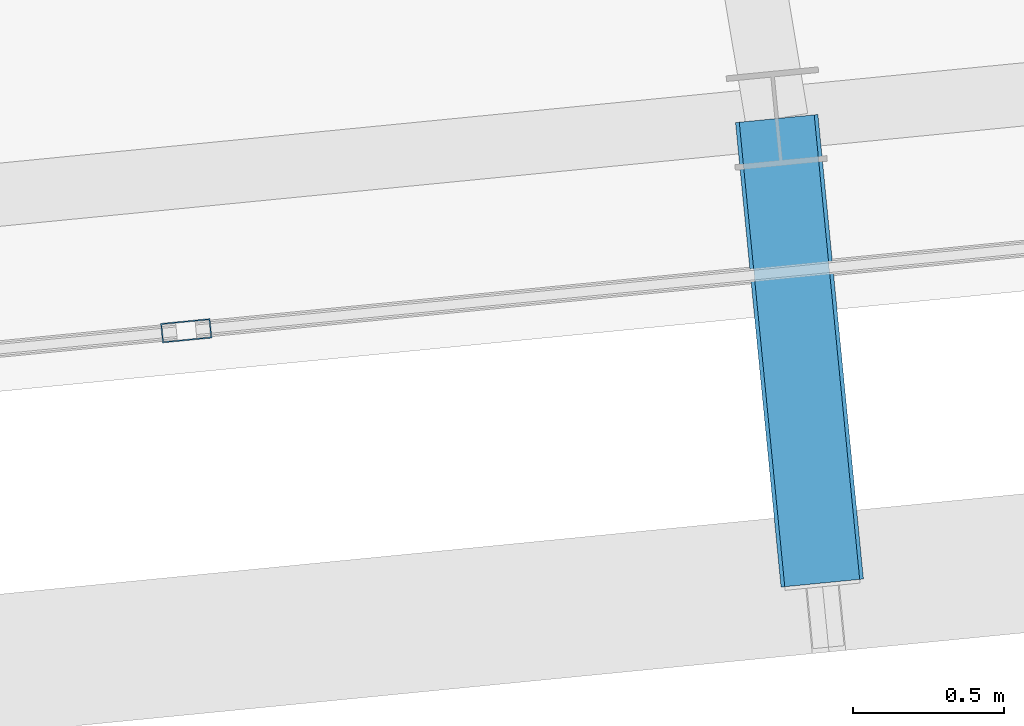
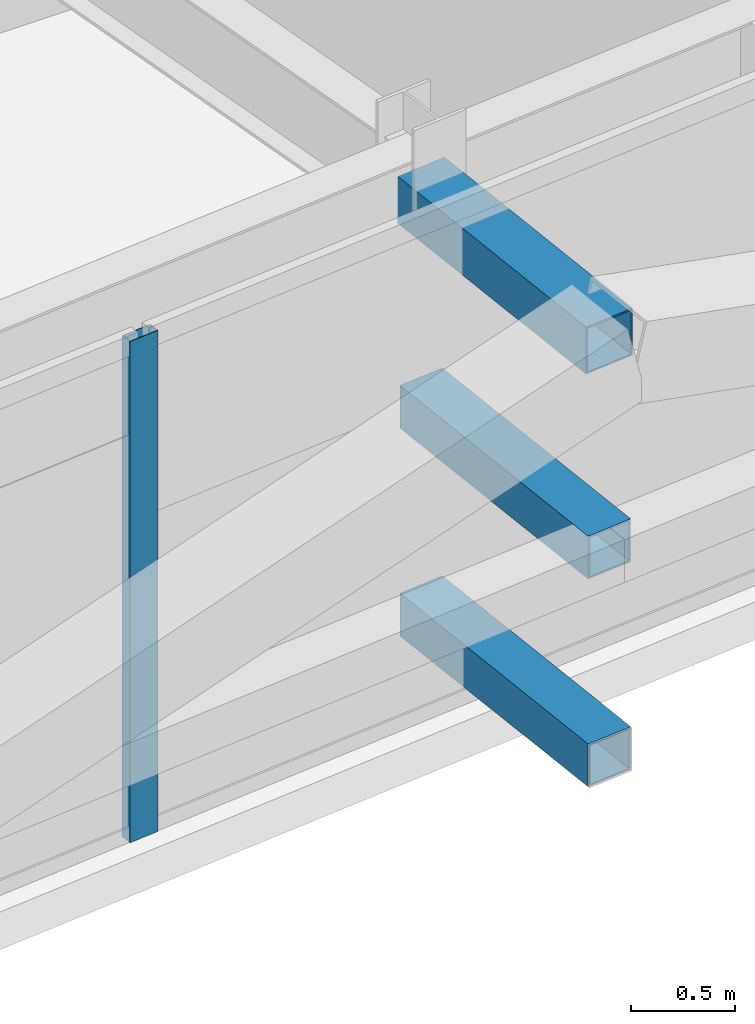
# One storey, part 15 of 47: 4 members, 1 element without a shape of its own.
"""IFC4 building model written with IfcOpenShell, lengths in metres."""

import ifcopenshell
import ifcopenshell.guid

model = None  # the IFC model being written
_history = None  # IfcOwnerHistory: only IFC2X3 demands one
_inside = {}  # id of a spatial element -> (the spatial element, [elements in it])
_under = {}  # id of a project, library or spatial element -> (it, [spatial elements below it])
_declared = {}  # id of a project -> (the project, [libraries it declares])
_typed = {}  # id of a type object -> (the type object, [elements of that type])
_made_of = {}  # id of a material, layer set ... -> (it, [elements and type objects made of it])


def new_model(schema):
    """Start an empty IFC model of exactly this schema.

    Asked for "IFC4X3", IfcOpenShell would pick the latest addendum, in which some entities
    have other attributes; the version numbers below select the first issue.
    IFC2X3 requires an IfcOwnerHistory on every rooted entity: one is made here for all.
    """
    global model, _history
    if schema == "IFC4X3":
        model = ifcopenshell.file(schema_version=(4, 3, 0, 0))
    else:
        model = ifcopenshell.file(schema=schema)
    _inside.clear()
    _under.clear()
    _declared.clear()
    _typed.clear()
    _made_of.clear()
    _history = None
    if model.schema == "IFC2X3":
        org = make("IfcOrganization", Name="unknown")
        user = make(
            "IfcPersonAndOrganization",
            ThePerson=make("IfcPerson", FamilyName="unknown"),
            TheOrganization=org,
        )
        app = make(
            "IfcApplication",
            ApplicationDeveloper=org,
            Version="unknown",
            ApplicationFullName="unknown",
            ApplicationIdentifier="unknown",
        )
        _history = make(
            "IfcOwnerHistory",
            OwningUser=user,
            OwningApplication=app,
            ChangeAction="ADDED",
            CreationDate=0,
        )
    return model


def make(cls, **values):
    """One entity of the class cls with the attributes given. An attribute that is None is left unset."""
    return model.create_entity(
        cls, **{name: value for name, value in values.items() if value is not None}
    )


def rooted(cls, **values):
    """An entity with a GlobalId (a new one), such as an element, a storey or a relation."""
    return make(cls, GlobalId=ifcopenshell.guid.new(), OwnerHistory=_history, **values)


def si_unit(unit_type, name, prefix=None):
    """IfcSIUnit, for example si_unit("LENGTHUNIT", "METRE", prefix="MILLI")."""
    return make("IfcSIUnit", UnitType=unit_type, Prefix=prefix, Name=name)


def assignment(units):
    """IfcUnitAssignment: the units of a project."""
    return None if units is None else make("IfcUnitAssignment", Units=units)


def point(xyz):
    """IfcCartesianPoint."""
    return None if xyz is None else make("IfcCartesianPoint", Coordinates=xyz)


def direction(xyz):
    """IfcDirection."""
    return None if xyz is None else make("IfcDirection", DirectionRatios=xyz)


def frame(location, z_axis=None, x_axis=None):
    """IfcAxis2Placement3D, a coordinate frame: its origin and axes. An axis left out is left unset."""
    return make(
        "IfcAxis2Placement3D",
        Location=point(location),
        Axis=direction(z_axis),
        RefDirection=direction(x_axis),
    )


def frame_2d(location, x_axis=None):
    """IfcAxis2Placement2D, a coordinate frame in the plane: its origin and x axis."""
    return make(
        "IfcAxis2Placement2D", Location=point(location), RefDirection=direction(x_axis)
    )


def origin():
    """The frame at (0, 0, 0) with its axes left unset."""
    return frame((0.0, 0.0, 0.0))


def origin_2d():
    """The frame at (0, 0) in the plane with its x axis left unset."""
    return frame_2d((0.0, 0.0))


def place(relative_to, where):
    """IfcLocalPlacement: puts the frame where relative to a parent placement (None: the world)."""
    return make(
        "IfcLocalPlacement", PlacementRelTo=relative_to, RelativePlacement=where
    )


def context(
    kind, dimensions, precision=None, world=None, true_north=None, identifier=None
):
    """IfcGeometricRepresentationContext, for example the 3D "Model" context."""
    return make(
        "IfcGeometricRepresentationContext",
        ContextIdentifier=identifier,
        ContextType=kind,
        CoordinateSpaceDimension=dimensions,
        Precision=precision,
        WorldCoordinateSystem=world,
        TrueNorth=true_north,
    )


def subcontext(parent, identifier, kind, view, scale=None):
    """IfcGeometricRepresentationSubContext, for example "Body" below "Model"."""
    return make(
        "IfcGeometricRepresentationSubContext",
        ContextIdentifier=identifier,
        ContextType=kind,
        ParentContext=parent,
        TargetScale=scale,
        TargetView=view,
    )


def project(units=None, contexts=None):
    """IfcProject with its units and contexts."""
    return rooted(
        "IfcProject",
        Name="project",
        RepresentationContexts=contexts,
        UnitsInContext=assignment(units),
    )


def spatial(cls, under=None, at=None, **own):
    """A site, building, storey or space (cls), placed at a placement, below another one or the project."""
    s = rooted(cls, ObjectPlacement=at, **own)
    if under is not None:
        _under.setdefault(under.id(), (under, []))[1].append(s)
    return s


def profile(cls, at=None, kind="AREA", **sizes):
    """A parametric profile (cls). Its sizes go by their IFC names, for example OverallWidth=200.0."""
    return make(cls, ProfileType=kind, Position=at, **sizes)


def hollow_rectangle(**sizes):
    """IfcRectangleHollowProfileDef."""
    return profile("IfcRectangleHollowProfileDef", **sizes)


def extrude(swept, where, along, depth):
    """IfcExtrudedAreaSolid: the profile swept, set in the frame where, extruded along a direction by depth."""
    return make(
        "IfcExtrudedAreaSolid",
        SweptArea=swept,
        Position=where,
        ExtrudedDirection=direction(along),
        Depth=depth,
    )


def shape(context_of_items, identifier, shape_type, items):
    """IfcShapeRepresentation: the items that make up one representation, for example the "Body"."""
    return make(
        "IfcShapeRepresentation",
        ContextOfItems=context_of_items,
        RepresentationIdentifier=identifier,
        RepresentationType=shape_type,
        Items=items,
    )


def source(mapping_origin, context_of_items, identifier, shape_type, items):
    """IfcRepresentationMap: a shape defined once, which mapped items show again and again."""
    return make(
        "IfcRepresentationMap",
        MappingOrigin=mapping_origin,
        MappedRepresentation=shape(context_of_items, identifier, shape_type, items),
    )


def transform(
    local_origin,
    x_axis=None,
    y_axis=None,
    z_axis=None,
    scale=None,
    scale2=None,
    scale3=None,
    uniform=True,
):
    """IfcCartesianTransformationOperator3D, or its non-uniform kind. x_axis, y_axis, z_axis: its Axis1, 2, 3."""
    if uniform:
        return make(
            "IfcCartesianTransformationOperator3D",
            Axis1=direction(x_axis),
            Axis2=direction(y_axis),
            LocalOrigin=point(local_origin),
            Scale=scale,
            Axis3=direction(z_axis),
        )
    return make(
        "IfcCartesianTransformationOperator3DnonUniform",
        Axis1=direction(x_axis),
        Axis2=direction(y_axis),
        LocalOrigin=point(local_origin),
        Scale=scale,
        Axis3=direction(z_axis),
        Scale2=scale2,
        Scale3=scale3,
    )


def mapped(mapping_source, mapping_target):
    """IfcMappedItem: shows the shape of a source again, moved by a transform."""
    return make(
        "IfcMappedItem", MappingSource=mapping_source, MappingTarget=mapping_target
    )


def material(Name=None, Category=None):
    """IfcMaterial."""
    return make("IfcMaterial", Name=Name, Category=Category)


def layer(
    of_material, thickness, ventilated=None, Name=None, Category=None, Priority=None
):
    """IfcMaterialLayer: one layer of a wall or slab, of a material (None: an air gap)."""
    return make(
        "IfcMaterialLayer",
        Material=of_material,
        LayerThickness=thickness,
        IsVentilated=ventilated,
        Name=Name,
        Category=Category,
        Priority=Priority,
    )


def layer_set(layers, Name=None):
    """IfcMaterialLayerSet."""
    return make("IfcMaterialLayerSet", MaterialLayers=layers, LayerSetName=Name)


def material_profile(
    of_material, cross_section, Name=None, Category=None, Priority=None
):
    """IfcMaterialProfile: a cross section and its material."""
    return make(
        "IfcMaterialProfile",
        Name=Name,
        Material=of_material,
        Profile=cross_section,
        Priority=Priority,
        Category=Category,
    )


def profile_set(profiles, Name=None, composite=None):
    """IfcMaterialProfileSet."""
    return make(
        "IfcMaterialProfileSet",
        Name=Name,
        MaterialProfiles=profiles,
        CompositeProfile=composite,
    )


def made_of(thing, what):
    """Note that an element or type object is made of a material, layer set ...; save() writes the relation."""
    if what is not None:
        _made_of.setdefault(what.id(), (what, []))[1].append(thing)
    return thing


def type_object(cls, material=None, **own):
    """A type object (cls), such as IfcWallType, which elements share."""
    return made_of(rooted(cls, **own), material)


def element(
    cls,
    number,
    at=None,
    inside=None,
    cuts=None,
    type_object=None,
    material=None,
    context=None,
    identifier="Body",
    shape_type=None,
    held_by="IfcProductDefinitionShape",
    body=None,
    shapes=None,
    **own,
):
    """One element of the class cls, such as IfcWall. Its Tag is "e" and its number.

    at: its placement. inside: the storey or other place that contains it. cuts: it is an
    opening in that element (IfcRelVoidsElement). A single representation is given by context,
    identifier, shape_type and body (its items); several are given by shapes. held_by: the class
    of the entity that holds the representations. save() writes the other relations.
    """
    e = rooted(cls, Tag="e%d" % number, ObjectPlacement=at, **own)
    if body is not None:
        shapes = [shape(context, identifier, shape_type, body)]
    if shapes is not None:
        e.Representation = make(held_by, Representations=shapes)
    if inside is not None:
        _inside.setdefault(inside.id(), (inside, []))[1].append(e)
    if cuts is not None:
        rooted(
            "IfcRelVoidsElement", RelatingBuildingElement=cuts, RelatedOpeningElement=e
        )
    if type_object is not None:
        _typed.setdefault(type_object.id(), (type_object, []))[1].append(e)
    return made_of(e, material)


def aggregate(whole, parts):
    """IfcRelAggregates: a whole, such as a stair, and the parts it consists of."""
    return rooted("IfcRelAggregates", RelatingObject=whole, RelatedObjects=parts)


def save(model, path):
    """Write the relations noted so far, then the file.

    IfcRelAggregates (storeys below a building ...), IfcRelContainedInSpatialStructure (elements
    in a storey), IfcRelDefinesByType, IfcRelAssociatesMaterial and IfcRelDeclares: one each for
    every whole, place, type object, material and project.
    """
    for whole, parts in _under.values():
        aggregate(whole, parts)
    for where, things in _inside.values():
        rooted(
            "IfcRelContainedInSpatialStructure",
            RelatedElements=things,
            RelatingStructure=where,
        )
    for kind, things in _typed.values():
        rooted("IfcRelDefinesByType", RelatedObjects=things, RelatingType=kind)
    for what, things in _made_of.values():
        rooted("IfcRelAssociatesMaterial", RelatedObjects=things, RelatingMaterial=what)
    for by, libraries in _declared.values():
        rooted("IfcRelDeclares", RelatingContext=by, RelatedDefinitions=libraries)
    model.write(path)


model = new_model("IFC4")

# Units and contexts
model_context = context("Model", 3, precision=1e-05, world=origin(), true_north=direction((0.0, 1.0)))
body_context = subcontext(model_context, "Body", "Model", "MODEL_VIEW")
ifc_project = project(units=[si_unit("LENGTHUNIT", "METRE"), si_unit("AREAUNIT", "SQUARE_METRE"), si_unit("VOLUMEUNIT", "CUBIC_METRE"), si_unit("PLANEANGLEUNIT", "RADIAN"), si_unit("MASSUNIT", "GRAM", prefix="KILO")], contexts=[model_context])

# Site, building, storey
site_placement = place(None, origin())
site = spatial("IfcSite", under=ifc_project, at=site_placement, CompositionType="ELEMENT")
building_placement = place(site_placement, origin())
building = spatial("IfcBuilding", under=site, at=building_placement, Name="Taldren Reach Tower", CompositionType="ELEMENT")
storey_placement = place(building_placement, frame((0.0, 0.0, 90.300048828125)))
storey = spatial("IfcBuildingStorey", under=building, at=storey_placement, Name="L27", CompositionType="ELEMENT", Elevation=90.300048828125)

# Members
ifc_material_1 = material(Name="Steel Gr 450 (C450L0)", Category="steel")
ifc_material_profile_1 = material_profile(ifc_material_1, hollow_rectangle(XDim=0.27490234375, YDim=0.27490234375, WallThickness=0.00927734375, at=origin_2d()), Name="275x275x9.3SHS")
ifc_profile_set_1 = profile_set([ifc_material_profile_1], Name="Steel Gr 450 (C450L0)")
member_type_1 = type_object("IfcMemberType", Name="MB-TIE273", PredefinedType="STRUT", material=ifc_profile_set_1)
shared_shape_1 = source(origin(), body_context, "Body", "SweptSolid", [
    extrude(hollow_rectangle(XDim=0.27490234375, YDim=0.27490234375, WallThickness=0.00927734375, at=origin_2d()), origin(), (0.0, 0.0, 1.0), 1.5498046875),
])
member_1_placement = place(storey_placement, frame((53.469482421875, 3.698486328125, 2.64990234375), z_axis=(0.097507178627, -0.995234821595, 0.0), x_axis=(0.995234821595, 0.097507178627, 0.0)))
element("IfcMember", 1, at=member_1_placement, inside=storey, type_object=member_type_1, Name="Exoskeleton diaphragm tie strut B2-S5 L27", PredefinedType="STRUT", context=body_context, shape_type="MappedRepresentation", body=[
    mapped(shared_shape_1, transform((0.0, 0.0, 0.0), scale=1.0)),
])
ifc_material_2 = material(Name="Steel Gr 350 (C350L0)", Category="steel")
ifc_material_profile_2 = material_profile(ifc_material_2, hollow_rectangle(XDim=0.25, YDim=0.25, WallThickness=0.010009765625, at=origin_2d()), Name="250x250x10.0SHS")
ifc_profile_set_2 = profile_set([ifc_material_profile_2], Name="Steel Gr 350 (C350L0)")
member_type_2 = type_object("IfcMemberType", Name="MB-POST250", PredefinedType="POST", material=ifc_profile_set_2)
shared_shape_2 = source(origin(), body_context, "Body", "SweptSolid", [
    extrude(hollow_rectangle(XDim=0.25, YDim=0.25, WallThickness=0.010009765625, at=origin_2d()), origin(), (0.0, 0.0, 1.0), 1.5498046875),
])
for number, where, z_axis, x_axis, name in (
    (2, (53.469482421875, 3.698486328125, 0.219970703125), (0.097507178627, -0.995234821595, 0.0), (0.995234821595, 0.097507178627, 0.0), "Exoskeleton base diaphragm tie strut B2-S5 L27"),
    (3, (53.469482421875, 3.698486328125, 1.43505859375), (0.097507178627, -0.995234821595, 0.0), (0.995234821595, 0.097507178627, 0.0), "Exoskeleton mid-tier diaphragm tie B2-S5 L27"),
):
    element("IfcMember", number, at=place(storey_placement, frame(where, z_axis=z_axis, x_axis=x_axis)), inside=storey, type_object=member_type_2, Name=name, PredefinedType="POST", context=body_context, shape_type="MappedRepresentation", body=[
        mapped(shared_shape_2, transform((0.0, 0.0, 0.0), scale=1.0)),
    ])

# Curtain wall, member
ifc_material_3 = material(Name="Aluminium and Low-E Glass Unitised System", Category="aluminium")
ifc_layer = layer(ifc_material_3, 0.159912109375)
ifc_layer_set = layer_set([ifc_layer], Name="Aluminium and Low-E Glass Unitised System")
curtain_wall_type = type_object("IfcCurtainWallType", Name="CW-SYS-3", PredefinedType="NOTDEFINED", material=ifc_layer_set)
curtain_wall_placement = place(storey_placement, origin())
curtain_wall = element("IfcCurtainWall", 4, at=curtain_wall_placement, inside=storey, type_object=curtain_wall_type, Name="Unitised curtain wall CW-L27-S", PredefinedType="NOTDEFINED")
ifc_material_4 = material(Name="Anodised Aluminium 6063-T6", Category="aluminium")
ifc_material_profile_3 = material_profile(ifc_material_4, hollow_rectangle(XDim=0.06494140625, YDim=0.1650390625, WallThickness=0.00390625, at=origin_2d()), Name="ALU-165x65x4RHS")
ifc_profile_set_3 = profile_set([ifc_material_profile_3], Name="Anodised Aluminium 6063-T6")
member_type_3 = type_object("IfcMemberType", Name="CW-MUL-165", PredefinedType="MULLION", material=ifc_profile_set_3)
shared_shape_3 = source(origin(), body_context, "Body", "SweptSolid", [
    extrude(hollow_rectangle(XDim=0.06494140625, YDim=0.1650390625, WallThickness=0.00390625, at=origin_2d()), origin(), (0.0, 0.0, 1.0), 2.929931640625),
])
member_2_placement = place(storey_placement, frame((51.5087890625, 2.993896484375, 0.0), z_axis=(0.0, 0.0, 1.0), x_axis=(-0.097582999046, 0.995227390247, 0.0)))
member_2 = element("IfcMember", 5, at=member_2_placement, type_object=member_type_3, Name="CW-3 mullion 4", PredefinedType="MULLION", context=body_context, shape_type="MappedRepresentation", body=[
    mapped(shared_shape_3, transform((0.0, 0.0, 0.0), scale=1.0)),
])
aggregate(curtain_wall, [member_2])

save(model, "model.ifc")
